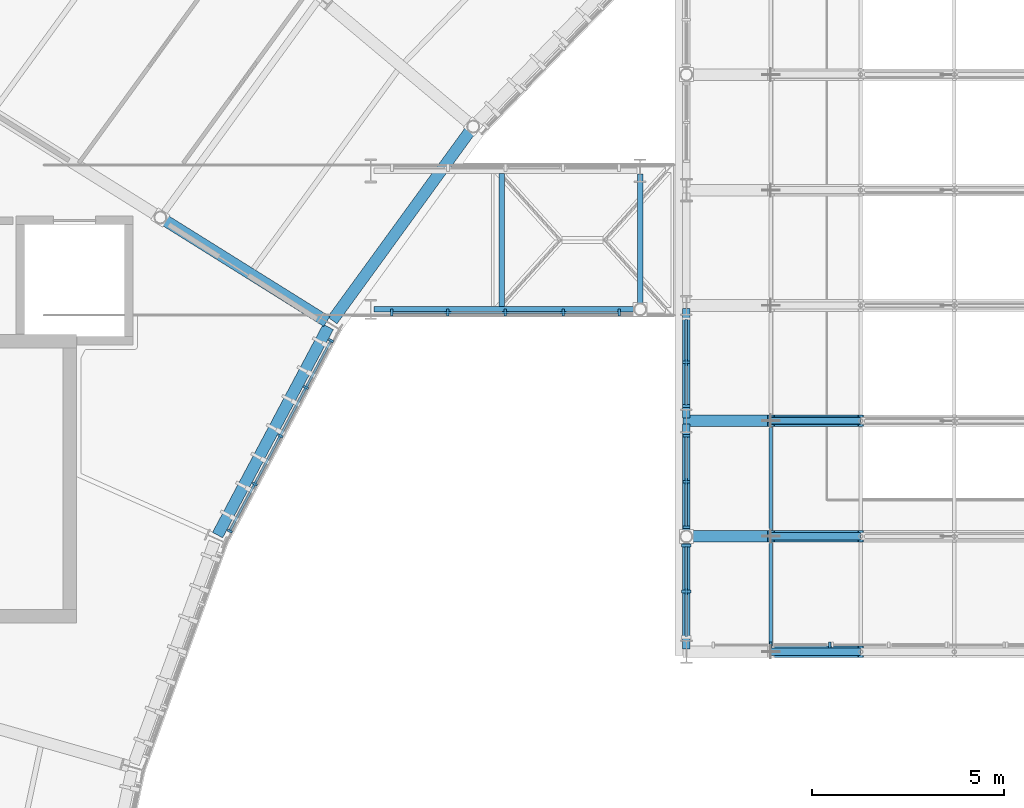
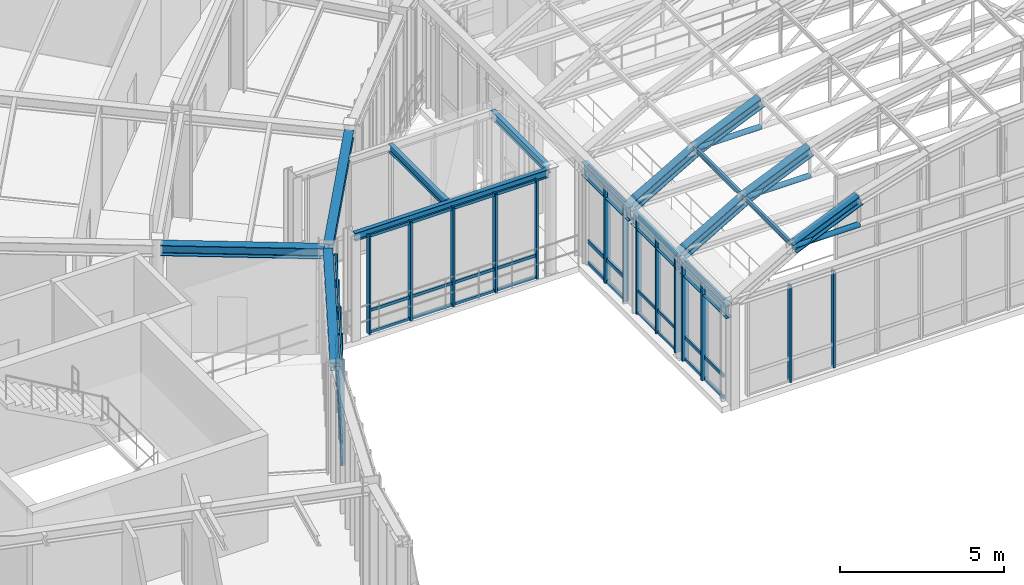
# One storey, part 23 of 148: 37 members, 16 beams, 6 elements without a shape of their own.
"""IFC4 building model written with IfcOpenShell, lengths in metres."""

from ifc_helpers import new_model, si_unit, direction, frame, origin, origin_2d, place, context, subcontext, project, spatial, rectangle, hollow_circle, i_section, extrude, material, layer, layer_set, material_profile, profile_set, type_object, element, aggregate, save


model = new_model("IFC4")

# Units and contexts
model_context = context("Model", 3, precision=1e-05, world=origin(), true_north=direction((0.0, 1.0)))
body_context = subcontext(model_context, "Body", "Model", "MODEL_VIEW")
ifc_project = project(units=[si_unit("LENGTHUNIT", "METRE"), si_unit("AREAUNIT", "SQUARE_METRE"), si_unit("VOLUMEUNIT", "CUBIC_METRE"), si_unit("PLANEANGLEUNIT", "RADIAN"), si_unit("MASSUNIT", "GRAM", prefix="KILO"), si_unit("THERMODYNAMICTEMPERATUREUNIT", "KELVIN"), si_unit("POWERUNIT", "WATT")], contexts=[model_context])

# Site, building, storey
site_placement = place(None, origin())
site = spatial("IfcSite", under=ifc_project, at=site_placement, CompositionType="ELEMENT")
building_placement = place(site_placement, origin())
building = spatial("IfcBuilding", under=site, at=building_placement, Name="Solvatero Civic Police Headquarters", CompositionType="ELEMENT")
storey_placement = place(building_placement, frame((0.0, 0.0, 5.10009765625)))
storey = spatial("IfcBuildingStorey", under=building, at=storey_placement, Name="L01", CompositionType="ELEMENT", Elevation=5.10009765625)

# Beams
ifc_material_1 = material(Name="Steel S355", Category="steel")
ifc_material_profile_1 = material_profile(ifc_material_1, i_section(OverallWidth=0.300048828125, OverallDepth=0.2900390625, WebThickness=0.008544921875, FlangeThickness=0.013916015625, FilletRadius=0.027099609375, at=origin_2d()), Name="HEA 300")
ifc_profile_set_1 = profile_set([ifc_material_profile_1], Name="Steel S355")
beam_type_1 = type_object("IfcBeamType", Name="BM-ST-HEA300", PredefinedType="SPANDREL", material=ifc_profile_set_1)
beam_1_placement = place(storey_placement, frame((59.201171875, 55.069580078125, 3.8349609375), z_axis=(-0.587785436261, -0.809016860714, 0.0), x_axis=(0.809016860714, -0.587785436261, 0.0)))
element("IfcBeam", 1, at=beam_1_placement, inside=storey, type_object=beam_type_1, Name="Perimeter / radial spandrel beam BM-R2-L01-ARC-CIN-B08", PredefinedType="SPANDREL", context=body_context, shape_type="SweptSolid", body=[
    extrude(i_section(OverallWidth=0.300048828125, OverallDepth=0.2900390625, WebThickness=0.008544921875, FlangeThickness=0.013916015625, FilletRadius=0.027099609375, at=origin_2d()), origin(), (0.0, 0.0, 1.0), 6.126953125),
])
beam_2_placement = place(storey_placement, frame((55.494140625, 49.943603515625, 3.8349609375), z_axis=(-0.469466925059, -0.882950058766, 0.0), x_axis=(0.882950058766, -0.469466925059, 0.0)))
element("IfcBeam", 2, at=beam_2_placement, inside=storey, type_object=beam_type_1, Name="Perimeter / radial spandrel beam BM-R2-L01-ARC-CIN-B09", PredefinedType="SPANDREL", context=body_context, shape_type="SweptSolid", body=[
    extrude(i_section(OverallWidth=0.300048828125, OverallDepth=0.2900390625, WebThickness=0.008544921875, FlangeThickness=0.013916015625, FilletRadius=0.027099609375, at=origin_2d()), origin(), (0.0, 0.0, 1.0), 6.127197265625),
])
ifc_material_profile_2 = material_profile(ifc_material_1, i_section(OverallWidth=0.300048828125, OverallDepth=0.389892578125, WebThickness=0.010986328125, FlangeThickness=0.01904296875, FilletRadius=0.027099609375, at=origin_2d()), Name="HEA 400")
ifc_profile_set_2 = profile_set([ifc_material_profile_2], Name="Steel S355")
beam_type_2 = type_object("IfcBeamType", Name="BM-ST-HEA400", PredefinedType="BEAM", material=ifc_profile_set_2)
beam_3_placement = place(storey_placement, frame((55.456298828125, 50.084716796875, 3.784912109375), z_axis=(-0.848042191304, 0.529928713855, 0.0), x_axis=(-0.529928713855, -0.848042191304, 0.0)))
element("IfcBeam", 3, at=beam_3_placement, inside=storey, type_object=beam_type_2, Name="Primary girder BM-R2-L01-ARC-RAD1-S08", PredefinedType="BEAM", context=body_context, shape_type="SweptSolid", body=[
    extrude(i_section(OverallWidth=0.300048828125, OverallDepth=0.389892578125, WebThickness=0.010986328125, FlangeThickness=0.01904296875, FilletRadius=0.027099609375, at=origin_2d()), origin(), (0.0, 0.0, 1.0), 5.0),
])
ifc_material_profile_3 = material_profile(ifc_material_1, i_section(OverallWidth=0.300048828125, OverallDepth=0.360107421875, WebThickness=0.012451171875, FlangeThickness=0.0224609375, FilletRadius=0.027099609375, at=origin_2d()), Name="HEB 360")
ifc_profile_set_3 = profile_set([ifc_material_profile_3], Name="Steel S355")
beam_type_3 = type_object("IfcBeamType", Name="BM-ST-HEB360", PredefinedType="BEAM", material=ifc_profile_set_3)
beam_4_placement = place(storey_placement, frame((66.99853515625, 41.5, 5.101806640625), z_axis=(0.917917593787, 0.0, 0.396771081377), x_axis=(0.0, 1.0, 0.0)))
element("IfcBeam", 4, at=beam_4_placement, inside=storey, type_object=beam_type_3, Name="VLT2 Tied-Arch Vault Top Chord F1.2", PredefinedType="BEAM", context=body_context, shape_type="SweptSolid", body=[
    extrude(i_section(OverallWidth=0.300048828125, OverallDepth=0.360107421875, WebThickness=0.012451171875, FlangeThickness=0.0224609375, FilletRadius=0.027099609375, at=origin_2d()), origin(), (0.0, 0.0, 1.0), 2.5400390625),
])
beam_5_placement = place(storey_placement, frame((64.800048828125, 44.5, 3.806884765625), z_axis=(0.865485501766, 0.0, 0.500933973926), x_axis=(0.0, 1.0, 0.0)))
element("IfcBeam", 5, at=beam_5_placement, inside=storey, type_object=beam_type_3, Name="VLT2 Tied-Arch Vault Top Chord F2.1", PredefinedType="BEAM", context=body_context, shape_type="SweptSolid", body=[
    extrude(i_section(OverallWidth=0.300048828125, OverallDepth=0.360107421875, WebThickness=0.012451171875, FlangeThickness=0.0224609375, FilletRadius=0.027099609375, at=origin_2d()), origin(), (0.0, 0.0, 1.0), 2.540283203125),
])
beam_6_placement = place(storey_placement, frame((66.99853515625, 44.5, 5.101806640625), z_axis=(0.917917593787, 0.0, 0.396771081377), x_axis=(0.0, 1.0, 0.0)))
element("IfcBeam", 6, at=beam_6_placement, inside=storey, type_object=beam_type_3, Name="VLT2 Tied-Arch Vault Top Chord F2.2", PredefinedType="BEAM", context=body_context, shape_type="SweptSolid", body=[
    extrude(i_section(OverallWidth=0.300048828125, OverallDepth=0.360107421875, WebThickness=0.012451171875, FlangeThickness=0.0224609375, FilletRadius=0.027099609375, at=origin_2d()), origin(), (0.0, 0.0, 1.0), 2.5400390625),
])
beam_7_placement = place(storey_placement, frame((64.800048828125, 47.5, 3.806884765625), z_axis=(0.865485501766, 0.0, 0.500933973926), x_axis=(0.0, 1.0, 0.0)))
element("IfcBeam", 7, at=beam_7_placement, inside=storey, type_object=beam_type_3, Name="VLT2 Tied-Arch Vault Top Chord F3.1", PredefinedType="BEAM", context=body_context, shape_type="SweptSolid", body=[
    extrude(i_section(OverallWidth=0.300048828125, OverallDepth=0.360107421875, WebThickness=0.012451171875, FlangeThickness=0.0224609375, FilletRadius=0.027099609375, at=origin_2d()), origin(), (0.0, 0.0, 1.0), 2.540283203125),
])
beam_8_placement = place(storey_placement, frame((66.99853515625, 47.5, 5.101806640625), z_axis=(0.917917593787, 0.0, 0.396771081377), x_axis=(0.0, 1.0, 0.0)))
element("IfcBeam", 8, at=beam_8_placement, inside=storey, type_object=beam_type_3, Name="VLT2 Tied-Arch Vault Top Chord F3.2", PredefinedType="BEAM", context=body_context, shape_type="SweptSolid", body=[
    extrude(i_section(OverallWidth=0.300048828125, OverallDepth=0.360107421875, WebThickness=0.012451171875, FlangeThickness=0.0224609375, FilletRadius=0.027099609375, at=origin_2d()), origin(), (0.0, 0.0, 1.0), 2.5400390625),
])
ifc_material_profile_4 = material_profile(ifc_material_1, i_section(OverallWidth=0.091064453125, OverallDepth=0.179931640625, WebThickness=0.00537109375, FlangeThickness=0.008056640625, FilletRadius=0.009033203125, at=origin_2d()), Name="IPE 180")
ifc_profile_set_4 = profile_set([ifc_material_profile_4], Name="Steel S355")
beam_type_4 = type_object("IfcBeamType", Name="BM-ST-IPE180", PredefinedType="JOIST", material=ifc_profile_set_4)
for number, where, z_axis, x_axis, name in (
    (9, (66.99853515625, 41.657958984375, 5.172119140625), (0.0, 1.0, 0.0), (-1.0, 0.0, 0.0), "VLT2 Vault Roof Purlin B1.1"),
    (10, (66.99853515625, 44.657958984375, 5.172119140625), (0.0, 1.0, 0.0), (-1.0, 0.0, 0.0), "VLT2 Vault Roof Purlin B2.1"),
):
    element("IfcBeam", number, at=place(storey_placement, frame(where, z_axis=z_axis, x_axis=x_axis)), inside=storey, type_object=beam_type_4, Name=name, PredefinedType="JOIST", context=body_context, shape_type="SweptSolid", body=[
        extrude(i_section(OverallWidth=0.091064453125, OverallDepth=0.179931640625, WebThickness=0.00537109375, FlangeThickness=0.008056640625, FilletRadius=0.009033203125, at=origin_2d()), origin(), (0.0, 0.0, 1.0), 2.68408203125),
    ])
ifc_material_profile_5 = material_profile(ifc_material_1, i_section(OverallWidth=0.14990234375, OverallDepth=0.300048828125, WebThickness=0.007080078125, FlangeThickness=0.0107421875, FilletRadius=0.014892578125, at=origin_2d()), Name="IPE 300")
ifc_profile_set_5 = profile_set([ifc_material_profile_5], Name="Steel S355")
beam_type_5 = type_object("IfcBeamType", Name="BM-ST-IPE300", PredefinedType="BEAM", material=ifc_profile_set_5)
beam_9_placement = place(storey_placement, frame((56.679931640625, 50.39990234375, 3.716796875), z_axis=(1.0, 0.0, 0.0), x_axis=(0.0, 1.0, 0.0)))
element("IfcBeam", 11, at=beam_9_placement, inside=storey, type_object=beam_type_5, Name="Composite floor beam BM-R2-L01-V2LK-S", PredefinedType="BEAM", context=body_context, shape_type="SweptSolid", body=[
    extrude(i_section(OverallWidth=0.14990234375, OverallDepth=0.300048828125, WebThickness=0.007080078125, FlangeThickness=0.0107421875, FilletRadius=0.014892578125, at=origin_2d()), origin(), (0.0, 0.0, 1.0), 6.840087890625),
])
beam_10_placement = place(storey_placement, frame((63.60009765625, 50.47998046875, 3.739990234375), z_axis=(0.0, 1.0, 0.0), x_axis=(-1.0, 0.0, 0.0)))
element("IfcBeam", 12, at=beam_10_placement, inside=storey, type_object=beam_type_5, Name="Composite floor beam BM-R2-L01-V2LK-E", PredefinedType="BEAM", context=body_context, shape_type="SweptSolid", body=[
    extrude(i_section(OverallWidth=0.14990234375, OverallDepth=0.300048828125, WebThickness=0.007080078125, FlangeThickness=0.0107421875, FilletRadius=0.014892578125, at=origin_2d()), origin(), (0.0, 0.0, 1.0), 3.43994140625),
])
beam_11_placement = place(storey_placement, frame((60.0, 50.469970703125, 3.739990234375), z_axis=(0.0, 1.0, 0.0), x_axis=(-1.0, 0.0, 0.0)))
element("IfcBeam", 13, at=beam_11_placement, inside=storey, type_object=beam_type_5, Name="Composite floor beam BM-R2-L01-V2LK-MID", PredefinedType="BEAM", context=body_context, shape_type="SweptSolid", body=[
    extrude(i_section(OverallWidth=0.14990234375, OverallDepth=0.300048828125, WebThickness=0.007080078125, FlangeThickness=0.0107421875, FilletRadius=0.014892578125, at=origin_2d()), origin(), (0.0, 0.0, 1.0), 3.4599609375),
])
ifc_material_profile_6 = material_profile(ifc_material_1, i_section(OverallWidth=0.199951171875, OverallDepth=0.5, WebThickness=0.01025390625, FlangeThickness=0.01611328125, FilletRadius=0.02099609375, at=origin_2d()), Name="IPE 500")
ifc_profile_set_6 = profile_set([ifc_material_profile_6], Name="Steel S355")
beam_type_6 = type_object("IfcBeamType", Name="BM-ST-IPE500", PredefinedType="BEAM", material=ifc_profile_set_6)
for number, where, z_axis, x_axis, name in (
    (14, (64.800048828125, 41.580078125, 3.429931640625), (0.0, 1.0, 0.0), (-1.0, 0.0, 0.0), "Primary girder BM-R2-VLT2-SPR-W-B1"),
    (15, (64.800048828125, 44.580078125, 3.429931640625), (0.0, 1.0, 0.0), (-1.0, 0.0, 0.0), "Primary girder BM-R2-VLT2-SPR-W-B2"),
    (16, (64.800048828125, 47.580078125, 3.429931640625), (0.0, 1.0, 0.0), (-1.0, 0.0, 0.0), "Primary girder BM-R2-VLT2-SPR-W-B3"),
):
    element("IfcBeam", number, at=place(storey_placement, frame(where, z_axis=z_axis, x_axis=x_axis)), inside=storey, type_object=beam_type_6, Name=name, PredefinedType="BEAM", context=body_context, shape_type="SweptSolid", body=[
        extrude(i_section(OverallWidth=0.199951171875, OverallDepth=0.5, WebThickness=0.01025390625, FlangeThickness=0.01611328125, FilletRadius=0.02099609375, at=origin_2d()), origin(), (0.0, 0.0, 1.0), 2.83984375),
    ])

# Curtain wall, members
ifc_material_2 = material(Name="Anodized Bronze Aluminium", Category="aluminium")
ifc_layer_1 = layer(ifc_material_2, 0.179931640625)
ifc_layer_set_1 = layer_set([ifc_layer_1], Name="Anodized Bronze Aluminium")
curtain_wall_type_1 = type_object("IfcCurtainWallType", Name="CW-HAL-GLZ", PredefinedType="USERDEFINED", material=ifc_layer_set_1)
curtain_wall_1_placement = place(storey_placement, origin())
curtain_wall_1 = element("IfcCurtainWall", 17, at=curtain_wall_1_placement, inside=storey, type_object=curtain_wall_type_1, Name="Curtain Wall CW-R2-L01-V2-W-B1", ObjectType="UNITISED", PredefinedType="USERDEFINED")
ifc_material_profile_7 = material_profile(ifc_material_2, rectangle(XDim=0.080078125, YDim=0.239990234375, at=origin_2d()), Name="ALU MULLION 80x240")
ifc_profile_set_7 = profile_set([ifc_material_profile_7], Name="Anodized Bronze Aluminium")
member_type_1 = type_object("IfcMemberType", Name="CWM-140x60", PredefinedType="MULLION", material=ifc_profile_set_7)
member_1_placement = place(storey_placement, frame((64.800048828125, 43.069091796875, 0.0), z_axis=(0.0, 0.0, 1.0), x_axis=(0.0, 1.0, 0.0)))
member_1 = element("IfcMember", 18, at=member_1_placement, type_object=member_type_1, Name="CW-R2-L01-V2-W-B1 Mullion 2", PredefinedType="MULLION", context=body_context, shape_type="SweptSolid", body=[
    extrude(rectangle(XDim=0.080078125, YDim=0.239990234375, at=origin_2d()), origin(), (0.0, 0.0, 1.0), 3.659912109375),
])
member_2_placement = place(storey_placement, frame((64.800048828125, 44.258056640625, 0.0), z_axis=(0.0, 0.0, 1.0), x_axis=(0.0, 1.0, 0.0)))
member_2 = element("IfcMember", 19, at=member_2_placement, type_object=member_type_1, Name="CW-R2-L01-V2-W-B1 Mullion 3", PredefinedType="MULLION", context=body_context, shape_type="SweptSolid", body=[
    extrude(rectangle(XDim=0.080078125, YDim=0.239990234375, at=origin_2d()), origin(), (0.0, 0.0, 1.0), 3.659912109375),
])

ifc_layer_2 = layer(ifc_material_2, 0.179931640625)
ifc_layer_set_2 = layer_set([ifc_layer_2], Name="Anodized Bronze Aluminium")
curtain_wall_type_2 = type_object("IfcCurtainWallType", Name="CW-ARC-IN", PredefinedType="USERDEFINED", material=ifc_layer_set_2)
curtain_wall_2_placement = place(storey_placement, origin())
curtain_wall_2 = element("IfcCurtainWall", 20, at=curtain_wall_2_placement, inside=storey, type_object=curtain_wall_type_2, Name="Curtain Wall CW-R2-L01-ARC-IN-B09", ObjectType="UNITISED", PredefinedType="USERDEFINED")
ifc_material_profile_8 = material_profile(ifc_material_2, rectangle(XDim=0.06005859375, YDim=0.139892578125, at=origin_2d()), Name="ALU MULLION 60x140")
ifc_profile_set_8 = profile_set([ifc_material_profile_8], Name="Anodized Bronze Aluminium")
member_type_2 = type_object("IfcMemberType", Name="CWM-160x65", PredefinedType="MULLION", material=ifc_profile_set_8)
member_3_placement = place(storey_placement, frame((55.565185546875, 49.58837890625, 0.0), z_axis=(0.0, 0.0, 1.0), x_axis=(-0.469471562786, -0.882947592859, 0.0)))
member_3 = element("IfcMember", 21, at=member_3_placement, type_object=member_type_2, Name="CW-R2-L01-ARC-IN-B09 Mullion 1", PredefinedType="MULLION", context=body_context, shape_type="SweptSolid", body=[
    extrude(rectangle(XDim=0.06005859375, YDim=0.139892578125, at=origin_2d()), origin(), (0.0, 0.0, 1.0), 3.93994140625),
])
member_4_placement = place(storey_placement, frame((54.916748046875, 48.368896484375, 0.0), z_axis=(0.0, 0.0, 1.0), x_axis=(-0.469471562786, -0.882947592859, 0.0)))
member_4 = element("IfcMember", 22, at=member_4_placement, type_object=member_type_2, Name="CW-R2-L01-ARC-IN-B09 Mullion 2", PredefinedType="MULLION", context=body_context, shape_type="SweptSolid", body=[
    extrude(rectangle(XDim=0.06005859375, YDim=0.139892578125, at=origin_2d()), origin(), (0.0, 0.0, 1.0), 3.93994140625),
])
member_5_placement = place(storey_placement, frame((54.24951171875, 47.114013671875, 0.0), z_axis=(0.0, 0.0, 1.0), x_axis=(-0.469471562786, -0.882947592859, 0.0)))
member_5 = element("IfcMember", 23, at=member_5_placement, type_object=member_type_2, Name="CW-R2-L01-ARC-IN-B09 Mullion 3", PredefinedType="MULLION", context=body_context, shape_type="SweptSolid", body=[
    extrude(rectangle(XDim=0.06005859375, YDim=0.139892578125, at=origin_2d()), origin(), (0.0, 0.0, 1.0), 3.93994140625),
])
member_6_placement = place(storey_placement, frame((53.582275390625, 45.859375, 0.0), z_axis=(0.0, 0.0, 1.0), x_axis=(-0.469471562786, -0.882947592859, 0.0)))
member_6 = element("IfcMember", 24, at=member_6_placement, type_object=member_type_2, Name="CW-R2-L01-ARC-IN-B09 Mullion 4", PredefinedType="MULLION", context=body_context, shape_type="SweptSolid", body=[
    extrude(rectangle(XDim=0.06005859375, YDim=0.139892578125, at=origin_2d()), origin(), (0.0, 0.0, 1.0), 3.93994140625),
])
member_7_placement = place(storey_placement, frame((52.933837890625, 44.6396484375, 0.0), z_axis=(0.0, 0.0, 1.0), x_axis=(-0.469471562786, -0.882947592859, 0.0)))
member_7 = element("IfcMember", 25, at=member_7_placement, type_object=member_type_2, Name="CW-R2-L01-ARC-IN-B09 Mullion 5", PredefinedType="MULLION", context=body_context, shape_type="SweptSolid", body=[
    extrude(rectangle(XDim=0.06005859375, YDim=0.139892578125, at=origin_2d()), origin(), (0.0, 0.0, 1.0), 3.93994140625),
])

curtain_wall_3_placement = place(storey_placement, origin())
curtain_wall_3 = element("IfcCurtainWall", 26, at=curtain_wall_3_placement, inside=storey, type_object=curtain_wall_type_1, Name="Curtain Wall CW-R2-L01-V2-S", ObjectType="UNITISED", PredefinedType="USERDEFINED")
ifc_material_profile_9 = material_profile(ifc_material_2, rectangle(XDim=0.06005859375, YDim=0.159912109375, at=origin_2d()), Name="ALU MULLION 60x160")
ifc_profile_set_9 = profile_set([ifc_material_profile_9], Name="Anodized Bronze Aluminium")
member_type_3 = type_object("IfcMemberType", Name="CWM-180x70", PredefinedType="MULLION", material=ifc_profile_set_9)
member_8_placement = place(storey_placement, frame((66.993408203125, 41.679931640625, 0.0), z_axis=(0.0, 0.0, 1.0), x_axis=(1.0, 0.0, 0.0)))
member_8 = element("IfcMember", 27, at=member_8_placement, type_object=member_type_3, Name="CW-R2-L01-V2-S Mullion 2", PredefinedType="MULLION", context=body_context, shape_type="SweptSolid", body=[
    extrude(rectangle(XDim=0.06005859375, YDim=0.159912109375, at=origin_2d()), origin(), (0.0, 0.0, 1.0), 3.619873046875),
])
member_9_placement = place(storey_placement, frame((68.526611328125, 41.679931640625, 0.0), z_axis=(0.0, 0.0, 1.0), x_axis=(1.0, 0.0, 0.0)))
member_9 = element("IfcMember", 28, at=member_9_placement, type_object=member_type_3, Name="CW-R2-L01-V2-S Mullion 3", PredefinedType="MULLION", context=body_context, shape_type="SweptSolid", body=[
    extrude(rectangle(XDim=0.06005859375, YDim=0.159912109375, at=origin_2d()), origin(), (0.0, 0.0, 1.0), 3.619873046875),
])
aggregate(curtain_wall_3, [member_8, member_9])

curtain_wall_4_placement = place(storey_placement, origin())
curtain_wall_4 = element("IfcCurtainWall", 29, at=curtain_wall_4_placement, inside=storey, type_object=curtain_wall_type_1, Name="Curtain Wall CW-R2-L01-V2-W-B2", ObjectType="UNITISED", PredefinedType="USERDEFINED")
ifc_material_profile_10 = material_profile(ifc_material_2, rectangle(XDim=0.06494140625, YDim=0.179931640625, at=origin_2d()), Name="ALU MULLION 65x180")
ifc_profile_set_10 = profile_set([ifc_material_profile_10], Name="Anodized Bronze Aluminium")
member_type_4 = type_object("IfcMemberType", Name="CWM-200x75", PredefinedType="MULLION", material=ifc_profile_set_10)
member_10_placement = place(storey_placement, frame((64.800048828125, 44.741943359375, 0.0), z_axis=(0.0, 0.0, 1.0), x_axis=(0.0, 1.0, 0.0)))
member_10 = element("IfcMember", 30, at=member_10_placement, type_object=member_type_4, Name="CW-R2-L01-V2-W-B2 Mullion 1", PredefinedType="MULLION", context=body_context, shape_type="SweptSolid", body=[
    extrude(rectangle(XDim=0.06494140625, YDim=0.179931640625, at=origin_2d()), origin(), (0.0, 0.0, 1.0), 3.659912109375),
])
member_11_placement = place(storey_placement, frame((64.800048828125, 45.926025390625, 0.0), z_axis=(0.0, 0.0, 1.0), x_axis=(0.0, 1.0, 0.0)))
member_11 = element("IfcMember", 31, at=member_11_placement, type_object=member_type_4, Name="CW-R2-L01-V2-W-B2 Mullion 2", PredefinedType="MULLION", context=body_context, shape_type="SweptSolid", body=[
    extrude(rectangle(XDim=0.06494140625, YDim=0.179931640625, at=origin_2d()), origin(), (0.0, 0.0, 1.0), 3.659912109375),
])
member_12_placement = place(storey_placement, frame((64.800048828125, 47.110107421875, 0.0), z_axis=(0.0, 0.0, 1.0), x_axis=(0.0, 1.0, 0.0)))
member_12 = element("IfcMember", 32, at=member_12_placement, type_object=member_type_4, Name="CW-R2-L01-V2-W-B2 Mullion 3", PredefinedType="MULLION", context=body_context, shape_type="SweptSolid", body=[
    extrude(rectangle(XDim=0.06494140625, YDim=0.179931640625, at=origin_2d()), origin(), (0.0, 0.0, 1.0), 3.659912109375),
])

ifc_layer_3 = layer(ifc_material_2, 0.179931640625)
ifc_layer_set_3 = layer_set([ifc_layer_3], Name="Anodized Bronze Aluminium")
curtain_wall_type_3 = type_object("IfcCurtainWallType", Name="CW-SB-GLZ", PredefinedType="USERDEFINED", material=ifc_layer_set_3)
curtain_wall_5_placement = place(storey_placement, origin())
curtain_wall_5 = element("IfcCurtainWall", 33, at=curtain_wall_5_placement, inside=storey, type_object=curtain_wall_type_3, Name="Curtain Wall CW-R2-L01-V2LK-S", ObjectType="UNITISED", PredefinedType="USERDEFINED")
member_13_placement = place(storey_placement, frame((57.14990234375, 50.320068359375, 0.0), z_axis=(0.0, 0.0, 1.0), x_axis=(1.0, 0.0, 0.0)))
member_13 = element("IfcMember", 34, at=member_13_placement, type_object=member_type_4, Name="CW-R2-L01-V2LK-S Mullion 1", PredefinedType="MULLION", context=body_context, shape_type="SweptSolid", body=[
    extrude(rectangle(XDim=0.06494140625, YDim=0.179931640625, at=origin_2d()), origin(), (0.0, 0.0, 1.0), 3.659912109375),
])
member_14_placement = place(storey_placement, frame((58.60498046875, 50.320068359375, 0.0), z_axis=(0.0, 0.0, 1.0), x_axis=(1.0, 0.0, 0.0)))
member_14 = element("IfcMember", 35, at=member_14_placement, type_object=member_type_4, Name="CW-R2-L01-V2LK-S Mullion 2", PredefinedType="MULLION", context=body_context, shape_type="SweptSolid", body=[
    extrude(rectangle(XDim=0.06494140625, YDim=0.179931640625, at=origin_2d()), origin(), (0.0, 0.0, 1.0), 3.659912109375),
])
member_15_placement = place(storey_placement, frame((60.10009765625, 50.320068359375, 0.0), z_axis=(0.0, 0.0, 1.0), x_axis=(1.0, 0.0, 0.0)))
member_15 = element("IfcMember", 36, at=member_15_placement, type_object=member_type_4, Name="CW-R2-L01-V2LK-S Mullion 3", PredefinedType="MULLION", context=body_context, shape_type="SweptSolid", body=[
    extrude(rectangle(XDim=0.06494140625, YDim=0.179931640625, at=origin_2d()), origin(), (0.0, 0.0, 1.0), 3.659912109375),
])
member_16_placement = place(storey_placement, frame((61.594970703125, 50.320068359375, 0.0), z_axis=(0.0, 0.0, 1.0), x_axis=(1.0, 0.0, 0.0)))
member_16 = element("IfcMember", 37, at=member_16_placement, type_object=member_type_4, Name="CW-R2-L01-V2LK-S Mullion 4", PredefinedType="MULLION", context=body_context, shape_type="SweptSolid", body=[
    extrude(rectangle(XDim=0.06494140625, YDim=0.179931640625, at=origin_2d()), origin(), (0.0, 0.0, 1.0), 3.659912109375),
])
member_17_placement = place(storey_placement, frame((63.050048828125, 50.320068359375, 0.0), z_axis=(0.0, 0.0, 1.0), x_axis=(1.0, 0.0, 0.0)))
member_17 = element("IfcMember", 38, at=member_17_placement, type_object=member_type_4, Name="CW-R2-L01-V2LK-S Mullion 5", PredefinedType="MULLION", context=body_context, shape_type="SweptSolid", body=[
    extrude(rectangle(XDim=0.06494140625, YDim=0.179931640625, at=origin_2d()), origin(), (0.0, 0.0, 1.0), 3.659912109375),
])

curtain_wall_6_placement = place(storey_placement, origin())
curtain_wall_6 = element("IfcCurtainWall", 39, at=curtain_wall_6_placement, inside=storey, type_object=curtain_wall_type_1, Name="Curtain Wall CW-R2-L01-V2-W-B3", ObjectType="UNITISED", PredefinedType="USERDEFINED")
ifc_material_profile_11 = material_profile(ifc_material_2, rectangle(XDim=0.070068359375, YDim=0.199951171875, at=origin_2d()), Name="ALU MULLION 70x200")
ifc_profile_set_11 = profile_set([ifc_material_profile_11], Name="Anodized Bronze Aluminium")
member_type_5 = type_object("IfcMemberType", Name="CWM-220x80", PredefinedType="MULLION", material=ifc_profile_set_11)
member_18_placement = place(storey_placement, frame((64.800048828125, 47.889892578125, 0.0), z_axis=(0.0, 0.0, 1.0), x_axis=(0.0, 1.0, 0.0)))
member_18 = element("IfcMember", 40, at=member_18_placement, type_object=member_type_5, Name="CW-R2-L01-V2-W-B3 Mullion 1", PredefinedType="MULLION", context=body_context, shape_type="SweptSolid", body=[
    extrude(rectangle(XDim=0.070068359375, YDim=0.199951171875, at=origin_2d()), origin(), (0.0, 0.0, 1.0), 3.659912109375),
])
member_19_placement = place(storey_placement, frame((64.800048828125, 49.02392578125, 0.0), z_axis=(0.0, 0.0, 1.0), x_axis=(0.0, 1.0, 0.0)))
member_19 = element("IfcMember", 41, at=member_19_placement, type_object=member_type_5, Name="CW-R2-L01-V2-W-B3 Mullion 2", PredefinedType="MULLION", context=body_context, shape_type="SweptSolid", body=[
    extrude(rectangle(XDim=0.070068359375, YDim=0.199951171875, at=origin_2d()), origin(), (0.0, 0.0, 1.0), 3.659912109375),
])
ifc_material_profile_12 = material_profile(ifc_material_2, rectangle(XDim=0.070068359375, YDim=0.159912109375, at=origin_2d()), Name="ALU TRANSOM 70x160")
ifc_profile_set_12 = profile_set([ifc_material_profile_12], Name="Anodized Bronze Aluminium")
member_type_6 = type_object("IfcMemberType", Name="CWT-120x55", PredefinedType="USERDEFINED", material=ifc_profile_set_12)
member_20_placement = place(storey_placement, frame((64.800048828125, 47.89990234375, 0.039794921875), z_axis=(0.0, 1.0, 0.0), x_axis=(-1.0, 0.0, 0.0)))
member_20 = element("IfcMember", 42, at=member_20_placement, type_object=member_type_6, Name="CW-R2-L01-V2-W-B3 Transom 1", ObjectType="TRANSOM", PredefinedType="USERDEFINED", context=body_context, shape_type="SweptSolid", body=[
    extrude(rectangle(XDim=0.070068359375, YDim=0.159912109375, at=origin_2d()), origin(), (0.0, 0.0, 1.0), 2.248046875),
])
member_21_placement = place(storey_placement, frame((64.800048828125, 47.89990234375, 0.849853515625), z_axis=(0.0, 1.0, 0.0), x_axis=(-1.0, 0.0, 0.0)))
member_21 = element("IfcMember", 43, at=member_21_placement, type_object=member_type_6, Name="CW-R2-L01-V2-W-B3 Transom 2", ObjectType="TRANSOM", PredefinedType="USERDEFINED", context=body_context, shape_type="SweptSolid", body=[
    extrude(rectangle(XDim=0.070068359375, YDim=0.159912109375, at=origin_2d()), origin(), (0.0, 0.0, 1.0), 2.248046875),
])
member_22_placement = place(storey_placement, frame((64.800048828125, 47.89990234375, 3.619873046875), z_axis=(0.0, 1.0, 0.0), x_axis=(-1.0, 0.0, 0.0)))
member_22 = element("IfcMember", 44, at=member_22_placement, type_object=member_type_6, Name="CW-R2-L01-V2-W-B3 Transom 3", ObjectType="TRANSOM", PredefinedType="USERDEFINED", context=body_context, shape_type="SweptSolid", body=[
    extrude(rectangle(XDim=0.070068359375, YDim=0.159912109375, at=origin_2d()), origin(), (0.0, 0.0, 1.0), 2.248046875),
])
aggregate(curtain_wall_6, [member_18, member_19, member_20, member_21, member_22])

# Member
ifc_material_profile_13 = material_profile(ifc_material_2, rectangle(XDim=0.06005859375, YDim=0.110107421875, at=origin_2d()), Name="ALU TRANSOM 60x110")
ifc_profile_set_13 = profile_set([ifc_material_profile_13], Name="Anodized Bronze Aluminium")
member_type_7 = type_object("IfcMemberType", Name="CWT-140x60", PredefinedType="USERDEFINED", material=ifc_profile_set_13)
member_23_placement = place(storey_placement, frame((64.800048828125, 44.751953125, 0.039794921875), z_axis=(0.0, 1.0, 0.0), x_axis=(-1.0, 0.0, 0.0)))
member_23 = element("IfcMember", 45, at=member_23_placement, type_object=member_type_7, Name="CW-R2-L01-V2-W-B2 Transom 1", ObjectType="TRANSOM", PredefinedType="USERDEFINED", context=body_context, shape_type="SweptSolid", body=[
    extrude(rectangle(XDim=0.06005859375, YDim=0.110107421875, at=origin_2d()), origin(), (0.0, 0.0, 1.0), 2.34814453125),
])

member_24_placement = place(storey_placement, frame((64.800048828125, 44.751953125, 0.849853515625), z_axis=(0.0, 1.0, 0.0), x_axis=(-1.0, 0.0, 0.0)))
member_24 = element("IfcMember", 46, at=member_24_placement, type_object=member_type_7, Name="CW-R2-L01-V2-W-B2 Transom 2", ObjectType="TRANSOM", PredefinedType="USERDEFINED", context=body_context, shape_type="SweptSolid", body=[
    extrude(rectangle(XDim=0.06005859375, YDim=0.110107421875, at=origin_2d()), origin(), (0.0, 0.0, 1.0), 2.34814453125),
])

member_25_placement = place(storey_placement, frame((64.800048828125, 44.751953125, 3.619873046875), z_axis=(0.0, 1.0, 0.0), x_axis=(-1.0, 0.0, 0.0)))
member_25 = element("IfcMember", 47, at=member_25_placement, type_object=member_type_7, Name="CW-R2-L01-V2-W-B2 Transom 3", ObjectType="TRANSOM", PredefinedType="USERDEFINED", context=body_context, shape_type="SweptSolid", body=[
    extrude(rectangle(XDim=0.06005859375, YDim=0.110107421875, at=origin_2d()), origin(), (0.0, 0.0, 1.0), 2.34814453125),
])

aggregate(curtain_wall_4, [member_10, member_11, member_12, member_23, member_24, member_25])

member_26_placement = place(storey_placement, frame((57.159912109375, 50.320068359375, 0.039794921875), z_axis=(1.0, 0.0, 0.0), x_axis=(0.0, 1.0, 0.0)))
member_26 = element("IfcMember", 48, at=member_26_placement, type_object=member_type_7, Name="CW-R2-L01-V2LK-S Transom 1", ObjectType="TRANSOM", PredefinedType="USERDEFINED", context=body_context, shape_type="SweptSolid", body=[
    extrude(rectangle(XDim=0.06005859375, YDim=0.110107421875, at=origin_2d()), origin(), (0.0, 0.0, 1.0), 5.880126953125),
])

member_27_placement = place(storey_placement, frame((57.159912109375, 50.320068359375, 0.849853515625), z_axis=(1.0, 0.0, 0.0), x_axis=(0.0, 1.0, 0.0)))
member_27 = element("IfcMember", 49, at=member_27_placement, type_object=member_type_7, Name="CW-R2-L01-V2LK-S Transom 2", ObjectType="TRANSOM", PredefinedType="USERDEFINED", context=body_context, shape_type="SweptSolid", body=[
    extrude(rectangle(XDim=0.06005859375, YDim=0.110107421875, at=origin_2d()), origin(), (0.0, 0.0, 1.0), 5.880126953125),
])

member_28_placement = place(storey_placement, frame((57.159912109375, 50.320068359375, 3.619873046875), z_axis=(1.0, 0.0, 0.0), x_axis=(0.0, 1.0, 0.0)))
member_28 = element("IfcMember", 50, at=member_28_placement, type_object=member_type_7, Name="CW-R2-L01-V2LK-S Transom 3", ObjectType="TRANSOM", PredefinedType="USERDEFINED", context=body_context, shape_type="SweptSolid", body=[
    extrude(rectangle(XDim=0.06005859375, YDim=0.110107421875, at=origin_2d()), origin(), (0.0, 0.0, 1.0), 5.880126953125),
])

aggregate(curtain_wall_5, [member_13, member_14, member_15, member_16, member_17, member_26, member_27, member_28])

ifc_material_profile_14 = material_profile(ifc_material_2, rectangle(XDim=0.06005859375, YDim=0.125, at=origin_2d()), Name="ALU TRANSOM 60x125")
ifc_profile_set_14 = profile_set([ifc_material_profile_14], Name="Anodized Bronze Aluminium")
member_type_8 = type_object("IfcMemberType", Name="CWT-160x65", PredefinedType="USERDEFINED", material=ifc_profile_set_14)
member_29_placement = place(storey_placement, frame((55.560302734375, 49.57958984375, 0.039794921875), z_axis=(-0.469455643881, -0.882956056906, 0.0), x_axis=(0.882956056906, -0.469455643881, 0.0)))
member_29 = element("IfcMember", 51, at=member_29_placement, type_object=member_type_8, Name="CW-R2-L01-ARC-IN-B09 Transom 1", ObjectType="TRANSOM", PredefinedType="USERDEFINED", context=body_context, shape_type="SweptSolid", body=[
    extrude(rectangle(XDim=0.06005859375, YDim=0.125, at=origin_2d()), origin(), (0.0, 0.0, 1.0), 5.584716796875),
])

member_30_placement = place(storey_placement, frame((55.560302734375, 49.57958984375, 0.849853515625), z_axis=(-0.469455643881, -0.882956056906, 0.0), x_axis=(0.882956056906, -0.469455643881, 0.0)))
member_30 = element("IfcMember", 52, at=member_30_placement, type_object=member_type_8, Name="CW-R2-L01-ARC-IN-B09 Transom 2", ObjectType="TRANSOM", PredefinedType="USERDEFINED", context=body_context, shape_type="SweptSolid", body=[
    extrude(rectangle(XDim=0.06005859375, YDim=0.125, at=origin_2d()), origin(), (0.0, 0.0, 1.0), 5.584716796875),
])

member_31_placement = place(storey_placement, frame((55.560302734375, 49.57958984375, 3.89990234375), z_axis=(-0.469455643881, -0.882956056906, 0.0), x_axis=(0.882956056906, -0.469455643881, 0.0)))
member_31 = element("IfcMember", 53, at=member_31_placement, type_object=member_type_8, Name="CW-R2-L01-ARC-IN-B09 Transom 3", ObjectType="TRANSOM", PredefinedType="USERDEFINED", context=body_context, shape_type="SweptSolid", body=[
    extrude(rectangle(XDim=0.06005859375, YDim=0.125, at=origin_2d()), origin(), (0.0, 0.0, 1.0), 5.584716796875),
])

aggregate(curtain_wall_2, [member_3, member_4, member_5, member_6, member_7, member_29, member_30, member_31])

ifc_material_profile_15 = material_profile(ifc_material_2, rectangle(XDim=0.06494140625, YDim=0.139892578125, at=origin_2d()), Name="ALU TRANSOM 65x140")
ifc_profile_set_15 = profile_set([ifc_material_profile_15], Name="Anodized Bronze Aluminium")
member_type_9 = type_object("IfcMemberType", Name="CWT-180x70", PredefinedType="USERDEFINED", material=ifc_profile_set_15)
member_32_placement = place(storey_placement, frame((64.800048828125, 41.889892578125, 0.039794921875), z_axis=(0.0, 1.0, 0.0), x_axis=(-1.0, 0.0, 0.0)))
member_32 = element("IfcMember", 54, at=member_32_placement, type_object=member_type_9, Name="CW-R2-L01-V2-W-B1 Transom 1", ObjectType="TRANSOM", PredefinedType="USERDEFINED", context=body_context, shape_type="SweptSolid", body=[
    extrude(rectangle(XDim=0.06494140625, YDim=0.139892578125, at=origin_2d()), origin(), (0.0, 0.0, 1.0), 2.358154296875),
])

member_33_placement = place(storey_placement, frame((64.800048828125, 41.889892578125, 0.849853515625), z_axis=(0.0, 1.0, 0.0), x_axis=(-1.0, 0.0, 0.0)))
member_33 = element("IfcMember", 55, at=member_33_placement, type_object=member_type_9, Name="CW-R2-L01-V2-W-B1 Transom 2", ObjectType="TRANSOM", PredefinedType="USERDEFINED", context=body_context, shape_type="SweptSolid", body=[
    extrude(rectangle(XDim=0.06494140625, YDim=0.139892578125, at=origin_2d()), origin(), (0.0, 0.0, 1.0), 2.358154296875),
])

member_34_placement = place(storey_placement, frame((64.800048828125, 41.889892578125, 3.619873046875), z_axis=(0.0, 1.0, 0.0), x_axis=(-1.0, 0.0, 0.0)))
member_34 = element("IfcMember", 56, at=member_34_placement, type_object=member_type_9, Name="CW-R2-L01-V2-W-B1 Transom 3", ObjectType="TRANSOM", PredefinedType="USERDEFINED", context=body_context, shape_type="SweptSolid", body=[
    extrude(rectangle(XDim=0.06494140625, YDim=0.139892578125, at=origin_2d()), origin(), (0.0, 0.0, 1.0), 2.358154296875),
])

aggregate(curtain_wall_1, [member_1, member_2, member_32, member_33, member_34])

# Members
ifc_material_profile_16 = material_profile(ifc_material_1, hollow_circle(Radius=0.096923828125, WallThickness=0.010009765625, at=origin_2d()), Name="CHS 193.7x10.0")
ifc_profile_set_16 = profile_set([ifc_material_profile_16], Name="Steel S355")
member_type_10 = type_object("IfcMemberType", Name="MB-TIE-CHS194", PredefinedType="CHORD", material=ifc_profile_set_16)
for number, where, z_axis, x_axis, name in (
    (57, (66.99853515625, 41.5, 5.13623046875), (1.0, 0.0, 0.0), (0.0, 1.0, 0.0), "VLT2 Vault Horizontal Tie Chord F1.1"),
    (58, (66.99853515625, 44.5, 5.13623046875), (1.0, 0.0, 0.0), (0.0, 1.0, 0.0), "VLT2 Vault Horizontal Tie Chord F2.1"),
    (59, (66.99853515625, 47.5, 5.13623046875), (1.0, 0.0, 0.0), (0.0, 1.0, 0.0), "VLT2 Vault Horizontal Tie Chord F3.1"),
):
    element("IfcMember", number, at=place(storey_placement, frame(where, z_axis=z_axis, x_axis=x_axis)), inside=storey, type_object=member_type_10, Name=name, PredefinedType="CHORD", context=body_context, shape_type="SweptSolid", body=[
        extrude(hollow_circle(Radius=0.096923828125, WallThickness=0.010009765625, at=origin_2d()), origin(), (0.0, 0.0, 1.0), 2.33154296875),
    ])

save(model, "model.ifc")
